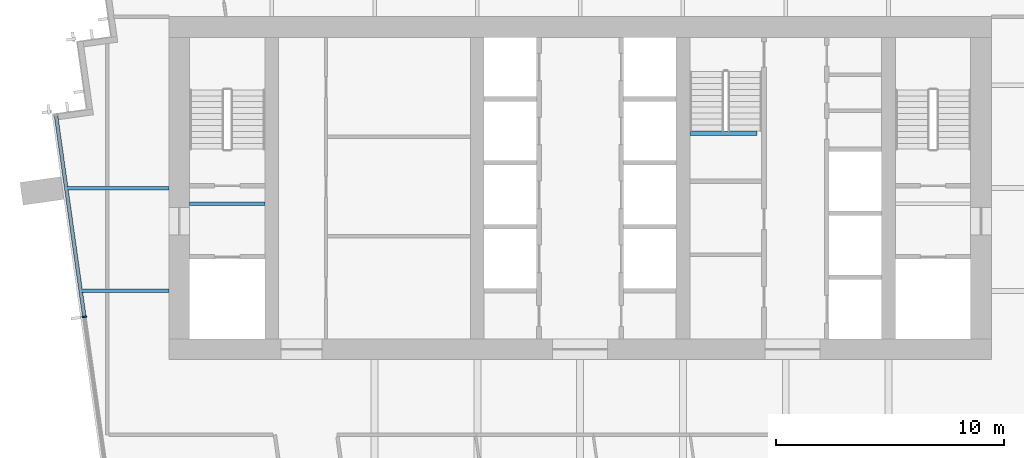
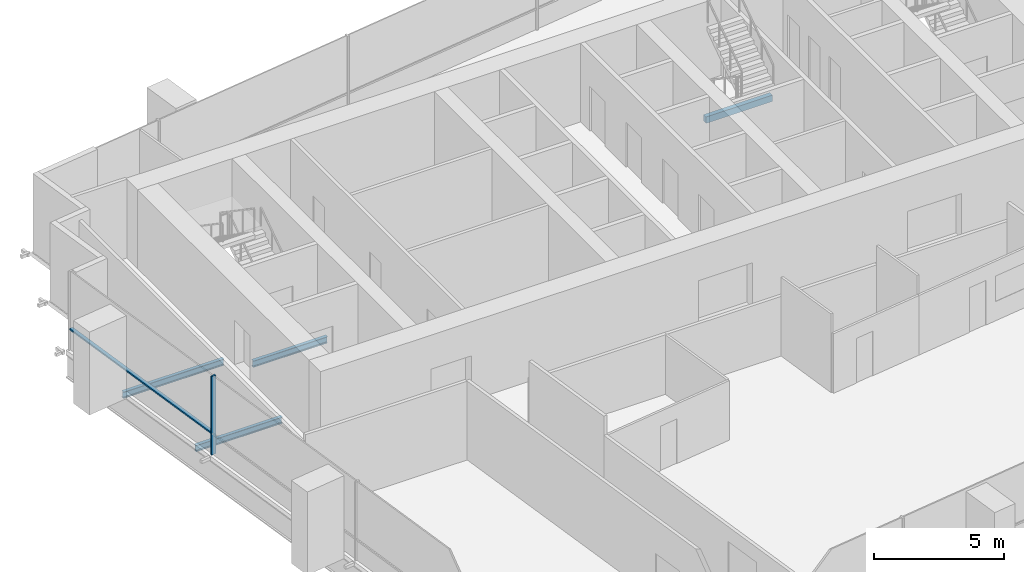
# One storey, part 4 of 13: 4 beams, 2 members, 1 element without a shape of its own.
"""IFC4 building model written with IfcOpenShell, lengths in metres."""

from ifc_helpers import new_model, si_unit, direction, frame, origin, origin_2d, place, context, subcontext, project, spatial, rectangle, i_section, extrude, material, layer, layer_set, material_profile, profile_set, type_object, element, aggregate, save


model = new_model("IFC4")

# Units and contexts
model_context = context("Model", 3, precision=1e-05, world=origin(), true_north=direction((0.0, 1.0)))
body_context = subcontext(model_context, "Body", "Model", "MODEL_VIEW")
ifc_project = project(units=[si_unit("LENGTHUNIT", "METRE"), si_unit("AREAUNIT", "SQUARE_METRE"), si_unit("VOLUMEUNIT", "CUBIC_METRE"), si_unit("PLANEANGLEUNIT", "RADIAN"), si_unit("MASSUNIT", "GRAM", prefix="KILO")], contexts=[model_context])

# Site, building, storey
site_placement = place(None, origin())
site = spatial("IfcSite", under=ifc_project, at=site_placement, CompositionType="ELEMENT")
building_placement = place(site_placement, origin())
building = spatial("IfcBuilding", under=site, at=building_placement, Name="Rattan Terrace Tower", CompositionType="ELEMENT")
storey_placement = place(building_placement, frame((0.0, 0.0, 217.39990234375)))
storey = spatial("IfcBuildingStorey", under=building, at=storey_placement, Name="L49", CompositionType="ELEMENT", Elevation=217.39990234375)

# Beams
ifc_material_1 = material(Name="Concrete C40/50", Category="concrete")
ifc_material_profile_1 = material_profile(ifc_material_1, rectangle(XDim=0.199951171875, YDim=0.300048828125, at=origin_2d()), Name="RC 200x300")
ifc_profile_set_1 = profile_set([ifc_material_profile_1], Name="Concrete C40/50")
beam_type_1 = type_object("IfcBeamType", Name="Core landing beam RC 200x300", PredefinedType="BEAM", material=ifc_profile_set_1)
beam_1_placement = place(storey_placement, frame((4.800048828125, 2.39990234375, 1.60009765625), z_axis=(1.0, 0.0, 0.0), x_axis=(0.0, 1.0, 0.0)))
element("IfcBeam", 1, at=beam_1_placement, inside=storey, type_object=beam_type_1, Name="st-S3-L49 landing 1 edge beam", PredefinedType="BEAM", context=body_context, shape_type="SweptSolid", body=[
    extrude(rectangle(XDim=0.199951171875, YDim=0.300048828125, at=origin_2d()), origin(), (0.0, 0.0, 1.0), 2.949951171875),
])
ifc_material_2 = material(Name="Steel S355", Category="steel")
ifc_material_profile_2 = material_profile(ifc_material_2, i_section(OverallWidth=0.14990234375, OverallDepth=0.300048828125, WebThickness=0.007080078125, FlangeThickness=0.0107421875, FilletRadius=0.014892578125, at=origin_2d()), Name="IPE 300")
ifc_profile_set_2 = profile_set([ifc_material_profile_2], Name="Steel S355")
beam_type_2 = type_object("IfcBeamType", Name="Frame floor beam IPE 300", PredefinedType="JOIST", material=ifc_profile_set_2)
beam_2_placement = place(storey_placement, frame((-17.10009765625, -0.695068359375, -0.349853515625), z_axis=(1.0, 0.0, 0.0), x_axis=(0.0, 1.0, 0.0)))
element("IfcBeam", 2, at=beam_2_placement, inside=storey, type_object=beam_type_2, Name="bm-L49-001", PredefinedType="JOIST", context=body_context, shape_type="SweptSolid", body=[
    extrude(i_section(OverallWidth=0.14990234375, OverallDepth=0.300048828125, WebThickness=0.007080078125, FlangeThickness=0.0107421875, FilletRadius=0.014892578125, at=origin_2d()), origin(), (0.0, 0.0, 1.0), 3.300048828125),
])
beam_3_placement = place(storey_placement, frame((-21.844970703125, -4.5, -0.349853515625), z_axis=(1.0, 0.0, 0.0), x_axis=(0.0, 1.0, 0.0)))
element("IfcBeam", 3, at=beam_3_placement, inside=storey, type_object=beam_type_2, Name="bm-L49-009", PredefinedType="JOIST", context=body_context, shape_type="SweptSolid", body=[
    extrude(i_section(OverallWidth=0.14990234375, OverallDepth=0.300048828125, WebThickness=0.007080078125, FlangeThickness=0.0107421875, FilletRadius=0.014892578125, at=origin_2d()), origin(), (0.0, 0.0, 1.0), 3.844970703125),
])
beam_4_placement = place(storey_placement, frame((-22.47705078125, 0.0, -0.349853515625), z_axis=(1.0, 0.0, 0.0), x_axis=(0.0, 1.0, 0.0)))
element("IfcBeam", 4, at=beam_4_placement, inside=storey, type_object=beam_type_2, Name="bm-L49-011", PredefinedType="JOIST", context=body_context, shape_type="SweptSolid", body=[
    extrude(i_section(OverallWidth=0.14990234375, OverallDepth=0.300048828125, WebThickness=0.007080078125, FlangeThickness=0.0107421875, FilletRadius=0.014892578125, at=origin_2d()), origin(), (0.0, 0.0, 1.0), 4.47705078125),
])

# Curtain wall, members
ifc_material_3 = material(Name="Aluminium and laminated glass", Category="aluminium")
ifc_layer = layer(ifc_material_3, 0.199951171875)
ifc_layer_set = layer_set([ifc_layer], Name="High-Zone Unitised Curtain Wall")
curtain_wall_type = type_object("IfcCurtainWallType", Name="High-Zone Unitised Curtain Wall", PredefinedType="NOTDEFINED", material=ifc_layer_set)
curtain_wall_placement = place(storey_placement, origin())
curtain_wall = element("IfcCurtainWall", 5, at=curtain_wall_placement, inside=storey, type_object=curtain_wall_type, Name="High-zone curtain wall L49-3", PredefinedType="NOTDEFINED")
ifc_material_4 = material(Name="Aluminium", Category="aluminium")
ifc_material_profile_3 = material_profile(ifc_material_4, rectangle(XDim=0.070068359375, YDim=0.199951171875, at=origin_2d()), Name="Aluminium 70x200")
ifc_profile_set_3 = profile_set([ifc_material_profile_3], Name="Aluminium")
member_type_1 = type_object("IfcMemberType", Name="High-Zone CW Mullion 70x200", PredefinedType="MULLION", material=ifc_profile_set_3)
member_1_placement = place(storey_placement, frame((-21.705078125, -5.638671875, 0.0), z_axis=(0.0, 0.0, 1.0), x_axis=(0.139186165309, -0.990266232579, 0.0)))
member_1 = element("IfcMember", 6, at=member_1_placement, type_object=member_type_1, Name="Mullion cwl-L49-003.2", PredefinedType="MULLION", context=body_context, shape_type="SweptSolid", body=[
    extrude(rectangle(XDim=0.070068359375, YDim=0.199951171875, at=origin_2d()), origin(), (0.0, 0.0, 1.0), 3.7001953125),
])
ifc_material_5 = material(Name="Aluminium", Category="aluminium")
ifc_material_profile_4 = material_profile(ifc_material_5, rectangle(XDim=0.159912109375, YDim=0.070068359375, at=origin_2d()), Name="Aluminium 160x70")
ifc_profile_set_4 = profile_set([ifc_material_profile_4], Name="Aluminium")
member_type_2 = type_object("IfcMemberType", Name="High-Zone CW Transom 160x70", PredefinedType="USERDEFINED", material=ifc_profile_set_4)
member_2_placement = place(storey_placement, frame((-22.941650390625, 3.159912109375, 1.0), z_axis=(0.139173253985, -0.990268047235, 0.0), x_axis=(0.990268047235, 0.139173253985, 0.0)))
member_2 = element("IfcMember", 7, at=member_2_placement, type_object=member_type_2, Name="Transom cwl-L49-003.1", ObjectType="TRANSOM", PredefinedType="USERDEFINED", context=body_context, shape_type="SweptSolid", body=[
    extrude(rectangle(XDim=0.159912109375, YDim=0.070068359375, at=origin_2d()), origin(), (0.0, 0.0, 1.0), 8.85009765625),
])
aggregate(curtain_wall, [member_1, member_2])

save(model, "model.ifc")
